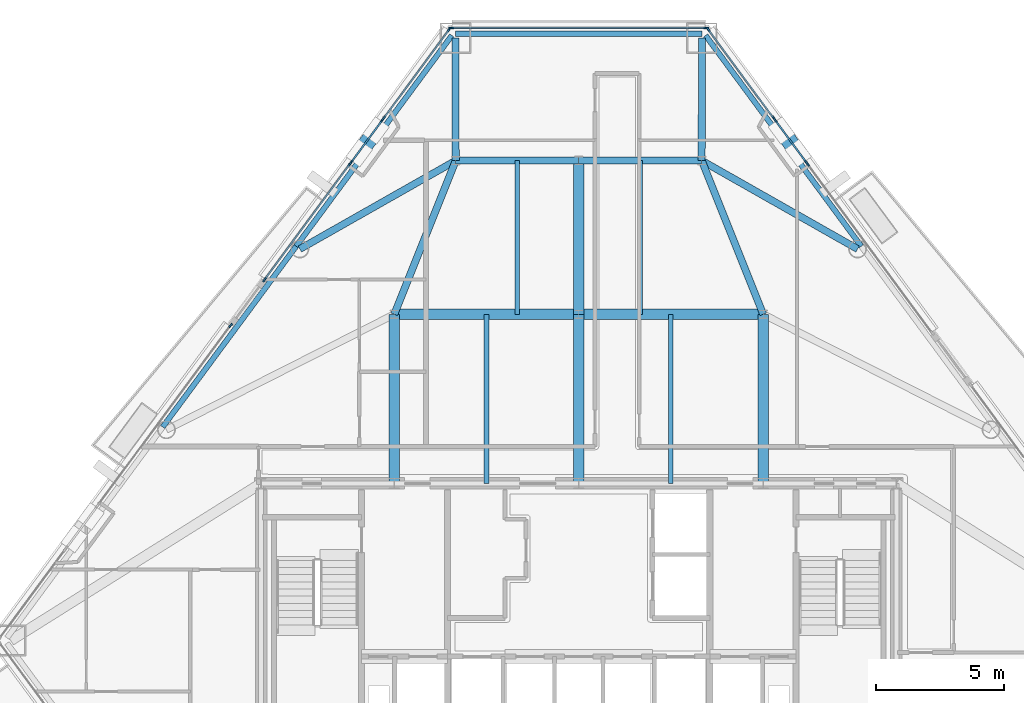
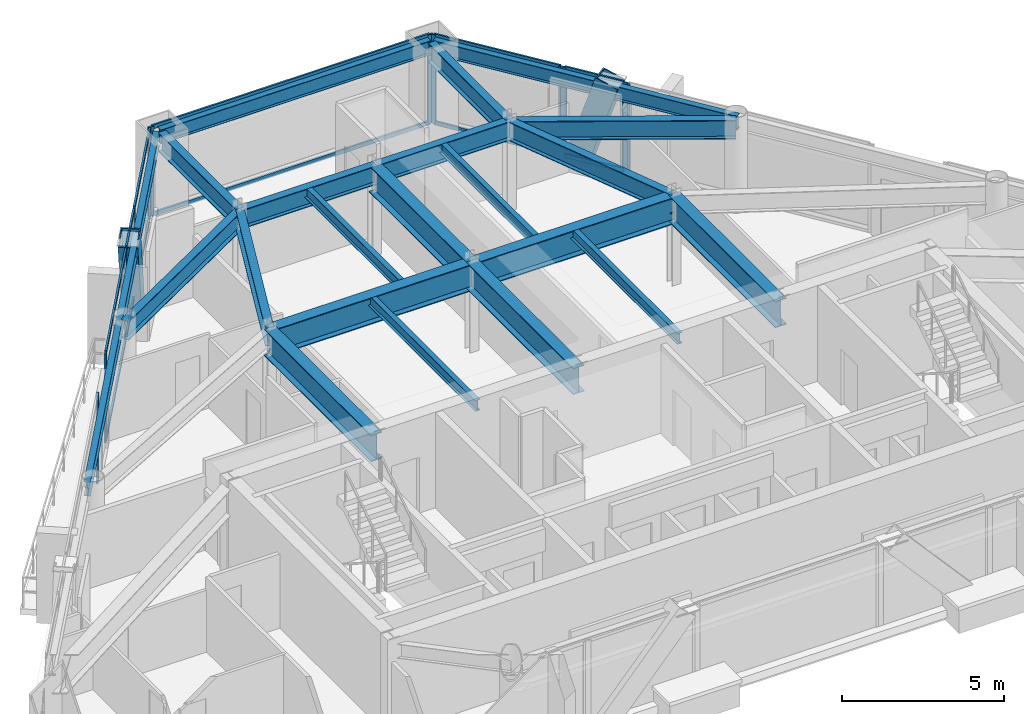
# One storey, part 4 of 11: 28 members, 22 beams, 8 elements without a shape of their own.
"""IFC4 building model written with IfcOpenShell, lengths in metres."""

from ifc_helpers import new_model, si_unit, direction, frame, origin, origin_2d, place, context, subcontext, project, spatial, rectangle, hollow_rectangle, i_section, extrude, material, layer, layer_set, material_profile, profile_set, type_object, element, aggregate, save


model = new_model("IFC4")

# Units and contexts
model_context = context("Model", 3, precision=1e-05, world=origin(), true_north=direction((0.0, 1.0)))
body_context = subcontext(model_context, "Body", "Model", "MODEL_VIEW")
ifc_project = project(units=[si_unit("LENGTHUNIT", "METRE"), si_unit("AREAUNIT", "SQUARE_METRE"), si_unit("VOLUMEUNIT", "CUBIC_METRE"), si_unit("PLANEANGLEUNIT", "RADIAN"), si_unit("MASSUNIT", "GRAM", prefix="KILO")], contexts=[model_context])

# Site, building, storey
site_placement = place(None, origin())
site = spatial("IfcSite", under=ifc_project, at=site_placement, CompositionType="ELEMENT")
building_placement = place(site_placement, origin())
building = spatial("IfcBuilding", under=site, at=building_placement, Name="Talgorran Terracotta Tower", CompositionType="ELEMENT")
storey_placement = place(building_placement, frame((0.0, 0.0, 143.699951171875)))
storey = spatial("IfcBuildingStorey", under=building, at=storey_placement, Name="L37", CompositionType="ELEMENT", Elevation=143.699951171875)

# Beams
ifc_material_1 = material(Name="Steel Grade 350 (350L0)", Category="steel")
ifc_material_profile_1 = material_profile(ifc_material_1, i_section(OverallWidth=0.39990234375, OverallDepth=1.0, WebThickness=0.01611328125, FlangeThickness=0.031005859375, at=origin_2d()), Name="1000WB296")
ifc_profile_set_1 = profile_set([ifc_material_profile_1], Name="Steel Grade 350 (350L0)")
beam_type_1 = type_object("IfcBeamType", Name="BM_1000WB296", PredefinedType="BEAM", material=ifc_profile_set_1)
for number, where, z_axis, x_axis, name in (
    (1, (-7.199951171875, -4.199951171875, 2.85009765625), (0.0, 1.0, 0.0), (-1.0, 0.0, 0.0), "L37 Floor Girder G01"),
    (2, (0.0, -4.199951171875, 2.85009765625), (0.0, 1.0, 0.0), (-1.0, 0.0, 0.0), "L37 Floor Girder G02"),
    (3, (7.199951171875, -4.199951171875, 2.85009765625), (0.0, 1.0, 0.0), (-1.0, 0.0, 0.0), "L37 Floor Girder G03"),
):
    element("IfcBeam", number, at=place(storey_placement, frame(where, z_axis=z_axis, x_axis=x_axis)), inside=storey, type_object=beam_type_1, Name=name, PredefinedType="BEAM", context=body_context, shape_type="SweptSolid", body=[
        extrude(i_section(OverallWidth=0.39990234375, OverallDepth=1.0, WebThickness=0.01611328125, FlangeThickness=0.031005859375, at=origin_2d()), origin(), (0.0, 0.0, 1.0), 6.599853515625),
    ])
for number, where, z_axis, x_axis, name in (
    (4, (-7.199951171875, 2.39990234375, 2.85009765625), (1.0, 0.0, 0.0), (0.0, 1.0, 0.0), "L37 Floor Girder G04"),
    (5, (0.0, 2.39990234375, 2.85009765625), (1.0, 0.0, 0.0), (0.0, 1.0, 0.0), "L37 Floor Girder G05"),
):
    element("IfcBeam", number, at=place(storey_placement, frame(where, z_axis=z_axis, x_axis=x_axis)), inside=storey, type_object=beam_type_1, Name=name, PredefinedType="BEAM", context=body_context, shape_type="SweptSolid", body=[
        extrude(i_section(OverallWidth=0.39990234375, OverallDepth=1.0, WebThickness=0.01611328125, FlangeThickness=0.031005859375, at=origin_2d()), origin(), (0.0, 0.0, 1.0), 7.199951171875),
    ])
beam_1_placement = place(storey_placement, frame((0.0, 2.39990234375, 2.85009765625), z_axis=(0.0, 1.0, 0.0), x_axis=(-1.0, 0.0, 0.0)))
element("IfcBeam", 6, at=beam_1_placement, inside=storey, type_object=beam_type_1, Name="L37 Floor Girder G09", PredefinedType="BEAM", context=body_context, shape_type="SweptSolid", body=[
    extrude(i_section(OverallWidth=0.39990234375, OverallDepth=1.0, WebThickness=0.01611328125, FlangeThickness=0.031005859375, at=origin_2d()), origin(), (0.0, 0.0, 1.0), 6.0),
])
ifc_material_2 = material(Name="Steel S355 (300PLUS)", Category="steel")
ifc_material_profile_2 = material_profile(ifc_material_2, i_section(OverallWidth=0.27490234375, OverallDepth=0.7080078125, WebThickness=0.011962890625, FlangeThickness=0.02490234375, at=origin_2d()), Name="700WB173")
ifc_profile_set_2 = profile_set([ifc_material_profile_2], Name="Steel S355 (300PLUS)")
beam_type_2 = type_object("IfcBeamType", Name="BM_700WB173", PredefinedType="BEAM", material=ifc_profile_set_2)
for number, where, z_axis, x_axis, name in (
    (7, (-7.199951171875, 2.39990234375, 2.99609375), (0.371377648723, 0.928481901832, 0.0), (-0.928481901832, 0.371377648723, 0.0), "L37 Floor Girder G08"),
    (8, (7.199951171875, 2.39990234375, 2.99609375), (-0.371377648723, 0.928481901832, 0.0), (-0.928481901832, -0.371377648723, 0.0), "L37 Floor Girder G10"),
):
    element("IfcBeam", number, at=place(storey_placement, frame(where, z_axis=z_axis, x_axis=x_axis)), inside=storey, type_object=beam_type_2, Name=name, PredefinedType="BEAM", context=body_context, shape_type="SweptSolid", body=[
        extrude(i_section(OverallWidth=0.27490234375, OverallDepth=0.7080078125, WebThickness=0.011962890625, FlangeThickness=0.02490234375, at=origin_2d()), origin(), (0.0, 0.0, 1.0), 6.462158203125),
    ])
for number, where, z_axis, x_axis, name in (
    (9, (-4.800048828125, 8.39990234375, 2.99609375), (1.0, 0.0, 0.0), (0.0, 1.0, 0.0), "L37 Floor Girder G11"),
    (10, (0.0, 8.39990234375, 2.99609375), (1.0, 0.0, 0.0), (0.0, 1.0, 0.0), "L37 Floor Girder G12"),
):
    element("IfcBeam", number, at=place(storey_placement, frame(where, z_axis=z_axis, x_axis=x_axis)), inside=storey, type_object=beam_type_2, Name=name, PredefinedType="BEAM", context=body_context, shape_type="SweptSolid", body=[
        extrude(i_section(OverallWidth=0.27490234375, OverallDepth=0.7080078125, WebThickness=0.011962890625, FlangeThickness=0.02490234375, at=origin_2d()), origin(), (0.0, 0.0, 1.0), 4.800048828125),
    ])
for number, where, z_axis, x_axis, name in (
    (11, (-4.800048828125, 8.39990234375, 2.99609375), (-0.869819954878, -0.493369279644, 0.0), (0.493369279644, -0.869819954878, 0.0), "L37 Floor Girder G13"),
    (12, (4.800048828125, 8.39990234375, 2.99609375), (0.869819954878, -0.493369279644, 0.0), (0.493369279644, 0.869819954878, 0.0), "L37 Floor Girder G14"),
):
    element("IfcBeam", number, at=place(storey_placement, frame(where, z_axis=z_axis, x_axis=x_axis)), inside=storey, type_object=beam_type_2, Name=name, PredefinedType="BEAM", context=body_context, shape_type="SweptSolid", body=[
        extrude(i_section(OverallWidth=0.27490234375, OverallDepth=0.7080078125, WebThickness=0.011962890625, FlangeThickness=0.02490234375, at=origin_2d()), origin(), (0.0, 0.0, 1.0), 6.9931640625),
    ])
for number, where, z_axis, x_axis, name in (
    (13, (-4.800048828125, 8.39990234375, 2.99609375), (-0.001277399193, 0.999999184125, 0.0), (-0.999999184125, -0.001277399193, 0.0), "L37 Floor Girder G15"),
    (14, (4.800048828125, 8.39990234375, 2.99609375), (0.001277399193, 0.999999184125, 0.0), (-0.999999184125, 0.001277399193, 0.0), "L37 Floor Girder G16"),
):
    element("IfcBeam", number, at=place(storey_placement, frame(where, z_axis=z_axis, x_axis=x_axis)), inside=storey, type_object=beam_type_2, Name=name, PredefinedType="BEAM", context=body_context, shape_type="SweptSolid", body=[
        extrude(i_section(OverallWidth=0.27490234375, OverallDepth=0.7080078125, WebThickness=0.011962890625, FlangeThickness=0.02490234375, at=origin_2d()), origin(), (0.0, 0.0, 1.0), 4.778076171875),
    ])
ifc_material_profile_3 = material_profile(ifc_material_2, i_section(OverallWidth=0.177734375, OverallDepth=0.406494140625, WebThickness=0.0078125, FlangeThickness=0.0126953125, at=origin_2d()), Name="410UB59.7")
ifc_profile_set_3 = profile_set([ifc_material_profile_3], Name="Steel S355 (300PLUS)")
beam_type_3 = type_object("IfcBeamType", Name="BM_JS_410UB60", PredefinedType="JOIST", material=ifc_profile_set_3)
for number, where, z_axis, x_axis, name in (
    (15, (-3.60009765625, -4.199951171875, 3.146728515625), (0.0, 1.0, 0.0), (-1.0, 0.0, 0.0), "L37 Secondary Joist J01"),
    (16, (3.60009765625, -4.199951171875, 3.146728515625), (0.0, 1.0, 0.0), (-1.0, 0.0, 0.0), "L37 Secondary Joist J02"),
):
    element("IfcBeam", number, at=place(storey_placement, frame(where, z_axis=z_axis, x_axis=x_axis)), inside=storey, type_object=beam_type_3, Name=name, PredefinedType="JOIST", context=body_context, shape_type="SweptSolid", body=[
        extrude(i_section(OverallWidth=0.177734375, OverallDepth=0.406494140625, WebThickness=0.0078125, FlangeThickness=0.0126953125, at=origin_2d()), origin(), (0.0, 0.0, 1.0), 6.599853515625),
    ])
for number, where, z_axis, x_axis, name in (
    (17, (-2.39990234375, 2.39990234375, 3.146728515625), (0.0, 1.0, 0.0), (-1.0, 0.0, 0.0), "L37 Secondary Joist J03"),
    (18, (2.39990234375, 2.39990234375, 3.146728515625), (0.0, 1.0, 0.0), (-1.0, 0.0, 0.0), "L37 Secondary Joist J04"),
):
    element("IfcBeam", number, at=place(storey_placement, frame(where, z_axis=z_axis, x_axis=x_axis)), inside=storey, type_object=beam_type_3, Name=name, PredefinedType="JOIST", context=body_context, shape_type="SweptSolid", body=[
        extrude(i_section(OverallWidth=0.177734375, OverallDepth=0.406494140625, WebThickness=0.0078125, FlangeThickness=0.0126953125, at=origin_2d()), origin(), (0.0, 0.0, 1.0), 6.0),
    ])
ifc_material_profile_4 = material_profile(ifc_material_2, i_section(OverallWidth=0.209228515625, OverallDepth=0.532958984375, WebThickness=0.01025390625, FlangeThickness=0.015625, at=origin_2d()), Name="530UB92.4")
ifc_profile_set_4 = profile_set([ifc_material_profile_4], Name="Steel S355 (300PLUS)")
beam_type_4 = type_object("IfcBeamType", Name="BM_SP_530UB92", PredefinedType="SPANDREL", material=ifc_profile_set_4)
beam_2_placement = place(storey_placement, frame((11.027587890625, 5.056640625, 3.08349609375), z_axis=(-0.594068215055, 0.804414666613, 0.0), x_axis=(-0.804414666613, -0.594068215055, 0.0)))
element("IfcBeam", 19, at=beam_2_placement, inside=storey, type_object=beam_type_4, Name="L37 Perimeter Spandrel Beam FC4-MC5", PredefinedType="SPANDREL", context=body_context, shape_type="SweptSolid", body=[
    extrude(i_section(OverallWidth=0.209228515625, OverallDepth=0.532958984375, WebThickness=0.01025390625, FlangeThickness=0.015625, at=origin_2d()), origin(), (0.0, 0.0, 1.0), 10.22900390625),
])
beam_3_placement = place(storey_placement, frame((4.80615234375, 13.35791015625, 3.08349609375), z_axis=(-1.0, 0.0, 0.0), x_axis=(0.0, -1.0, 0.0)))
element("IfcBeam", 20, at=beam_3_placement, inside=storey, type_object=beam_type_4, Name="L37 Perimeter Spandrel Beam MC5-MC6", PredefinedType="SPANDREL", context=body_context, shape_type="SweptSolid", body=[
    extrude(i_section(OverallWidth=0.209228515625, OverallDepth=0.532958984375, WebThickness=0.01025390625, FlangeThickness=0.015625, at=origin_2d()), origin(), (0.0, 0.0, 1.0), 9.6123046875),
])
beam_4_placement = place(storey_placement, frame((-4.950927734375, 13.284912109375, 3.08349609375), z_axis=(-0.594068215055, -0.804414666613, 0.0), x_axis=(0.804414666613, -0.594068215055, 0.0)))
element("IfcBeam", 21, at=beam_4_placement, inside=storey, type_object=beam_type_4, Name="L37 Perimeter Spandrel Beam MC6-FC5", PredefinedType="SPANDREL", context=body_context, shape_type="SweptSolid", body=[
    extrude(i_section(OverallWidth=0.209228515625, OverallDepth=0.532958984375, WebThickness=0.01025390625, FlangeThickness=0.015625, at=origin_2d()), origin(), (0.0, 0.0, 1.0), 10.22900390625),
])
beam_5_placement = place(storey_placement, frame((-11.027587890625, 5.056640625, 3.08349609375), z_axis=(-0.594084887131, -0.804402353852, 0.0), x_axis=(0.804402353852, -0.594084887131, 0.0)))
element("IfcBeam", 22, at=beam_5_placement, inside=storey, type_object=beam_type_4, Name="L37 Perimeter Spandrel Beam FC5-FC6", PredefinedType="SPANDREL", context=body_context, shape_type="SweptSolid", body=[
    extrude(i_section(OverallWidth=0.209228515625, OverallDepth=0.532958984375, WebThickness=0.01025390625, FlangeThickness=0.015625, at=origin_2d()), origin(), (0.0, 0.0, 1.0), 8.767578125),
])

# Members
ifc_material_profile_5 = material_profile(ifc_material_1, hollow_rectangle(XDim=0.6201171875, YDim=0.780029296875, WallThickness=0.0419921875, at=origin_2d()), Name="WBOX780X620X42")
ifc_profile_set_5 = profile_set([ifc_material_profile_5], Name="Steel Grade 350 (350L0)")
member_type_1 = type_object("IfcMemberType", Name="MB_MEGA_780", PredefinedType="BRACE", material=ifc_profile_set_5)
for number, where, z_axis, x_axis, name in (
    (23, (7.9140625, 9.57568359375, -0.02490234375), (0.182584644019, -0.247227261251, 0.951599458314), (0.804407113158, 0.594078442885, 0.0), "L37 Exterior Face Mega-Brace MB-2 (NEU)"),
    (24, (-7.9140625, 9.57568359375, -0.02490234375), (-0.182584644019, -0.247227261251, 0.951599458314), (0.804407113158, -0.594078442885, 0.0), "L37 Exterior Face Mega-Brace MB-2 (NWU)"),
):
    element("IfcMember", number, at=place(storey_placement, frame(where, z_axis=z_axis, x_axis=x_axis)), inside=storey, type_object=member_type_1, Name=name, PredefinedType="BRACE", context=body_context, shape_type="SweptSolid", body=[
        extrude(hollow_rectangle(XDim=0.6201171875, YDim=0.780029296875, WallThickness=0.0419921875, at=origin_2d()), origin(), (0.0, 0.0, 1.0), 3.57275390625),
    ])

# Curtain wall, member
ifc_material_3 = material(Name="Unitised Low-E Double Glazing", Category="glass")
ifc_layer = layer(ifc_material_3, 0.199951171875, Name="CW_SYS2_RES_LOW")
ifc_layer_set = layer_set([ifc_layer], Name="Unitised Low-E Double Glazing")
curtain_wall_type = type_object("IfcCurtainWallType", Name="CW_SYS2_RES_LOW", PredefinedType="NOTDEFINED", material=ifc_layer_set)
curtain_wall_1_placement = place(storey_placement, origin())
curtain_wall_1 = element("IfcCurtainWall", 25, at=curtain_wall_1_placement, inside=storey, type_object=curtain_wall_type, Name="CW-L37-F41", PredefinedType="NOTDEFINED")
ifc_material_4 = material(Name="Architectural Aluminium 6063-T6", Category="aluminium")
ifc_material_profile_6 = material_profile(ifc_material_4, rectangle(XDim=0.06494140625, YDim=0.18505859375, at=origin_2d()), Name="CWM65X185")
ifc_profile_set_6 = profile_set([ifc_material_profile_6], Name="Architectural Aluminium 6063-T6")
member_type_2 = type_object("IfcMemberType", Name="MUL_65X185", PredefinedType="MULLION", material=ifc_profile_set_6)
member_1_placement = place(storey_placement, frame((8.930419921875, 8.266845703125, 0.0), z_axis=(0.0, 0.0, 1.0), x_axis=(-0.804413779533, -0.594069416228, 0.0)))
member_1 = element("IfcMember", 26, at=member_1_placement, type_object=member_type_2, Name="CW-L37-41 mullion 2", PredefinedType="MULLION", context=body_context, shape_type="SweptSolid", body=[
    extrude(rectangle(XDim=0.06494140625, YDim=0.18505859375, at=origin_2d()), origin(), (0.0, 0.0, 1.0), 3.35009765625),
])
aggregate(curtain_wall_1, [member_1])

# Curtain wall, members
curtain_wall_2_placement = place(storey_placement, origin())
curtain_wall_2 = element("IfcCurtainWall", 27, at=curtain_wall_2_placement, inside=storey, type_object=curtain_wall_type, Name="CW-L37-F41B", PredefinedType="NOTDEFINED")
member_2_placement = place(storey_placement, frame((8.8857421875, 8.3271484375, 0.0), z_axis=(0.0, 0.0, 1.0), x_axis=(-0.804417046158, -0.594064992951, 0.0)))
member_2 = element("IfcMember", 28, at=member_2_placement, type_object=member_type_2, Name="CW-L37-41B mullion 1", PredefinedType="MULLION", context=body_context, shape_type="SweptSolid", body=[
    extrude(rectangle(XDim=0.06494140625, YDim=0.18505859375, at=origin_2d()), origin(), (0.0, 0.0, 1.0), 3.35009765625),
])
member_3_placement = place(storey_placement, frame((7.658935546875, 9.988525390625, 0.0), z_axis=(0.0, 0.0, 1.0), x_axis=(-0.804417046158, -0.594064992951, 0.0)))
member_3 = element("IfcMember", 29, at=member_3_placement, type_object=member_type_2, Name="CW-L37-41B mullion 2", PredefinedType="MULLION", context=body_context, shape_type="SweptSolid", body=[
    extrude(rectangle(XDim=0.06494140625, YDim=0.18505859375, at=origin_2d()), origin(), (0.0, 0.0, 1.0), 3.35009765625),
])

curtain_wall_3_placement = place(storey_placement, origin())
curtain_wall_3 = element("IfcCurtainWall", 30, at=curtain_wall_3_placement, inside=storey, type_object=curtain_wall_type, Name="CW-L37-F41C", PredefinedType="NOTDEFINED")
member_4_placement = place(storey_placement, frame((7.614501953125, 10.048828125, 0.0), z_axis=(0.0, 0.0, 1.0), x_axis=(-0.804408590904, -0.59407644195, 0.0)))
member_4 = element("IfcMember", 31, at=member_4_placement, type_object=member_type_2, Name="CW-L37-41C mullion 1", PredefinedType="MULLION", context=body_context, shape_type="SweptSolid", body=[
    extrude(rectangle(XDim=0.06494140625, YDim=0.18505859375, at=origin_2d()), origin(), (0.0, 0.0, 1.0), 3.35009765625),
])
member_5_placement = place(storey_placement, frame((5.051025390625, 13.51953125, 0.0), z_axis=(0.0, 0.0, 1.0), x_axis=(-0.804408590904, -0.59407644195, 0.0)))
member_5 = element("IfcMember", 32, at=member_5_placement, type_object=member_type_2, Name="CW-L37-41C mullion 2", PredefinedType="MULLION", context=body_context, shape_type="SweptSolid", body=[
    extrude(rectangle(XDim=0.06494140625, YDim=0.18505859375, at=origin_2d()), origin(), (0.0, 0.0, 1.0), 3.35009765625),
])

curtain_wall_4_placement = place(storey_placement, origin())
curtain_wall_4 = element("IfcCurtainWall", 33, at=curtain_wall_4_placement, inside=storey, type_object=curtain_wall_type, Name="CW-L37-F4", PredefinedType="NOTDEFINED")
member_6_placement = place(storey_placement, frame((4.9755859375, 13.577880859375, 0.0), z_axis=(0.0, 0.0, 1.0), x_axis=(0.0, -1.0, 0.0)))
member_6 = element("IfcMember", 34, at=member_6_placement, type_object=member_type_2, Name="CW-L37-4 mullion 1", PredefinedType="MULLION", context=body_context, shape_type="SweptSolid", body=[
    extrude(rectangle(XDim=0.06494140625, YDim=0.18505859375, at=origin_2d()), origin(), (0.0, 0.0, 1.0), 3.35009765625),
])
member_7_placement = place(storey_placement, frame((-4.9755859375, 13.577880859375, 0.0), z_axis=(0.0, 0.0, 1.0), x_axis=(0.0, -1.0, 0.0)))
member_7 = element("IfcMember", 35, at=member_7_placement, type_object=member_type_2, Name="CW-L37-4 mullion 2", PredefinedType="MULLION", context=body_context, shape_type="SweptSolid", body=[
    extrude(rectangle(XDim=0.06494140625, YDim=0.18505859375, at=origin_2d()), origin(), (0.0, 0.0, 1.0), 3.35009765625),
])

curtain_wall_5_placement = place(storey_placement, origin())
curtain_wall_5 = element("IfcCurtainWall", 36, at=curtain_wall_5_placement, inside=storey, type_object=curtain_wall_type, Name="CW-L37-F60", PredefinedType="NOTDEFINED")
member_8_placement = place(storey_placement, frame((-5.051025390625, 13.51953125, 0.0), z_axis=(0.0, 0.0, 1.0), x_axis=(0.804408590904, -0.59407644195, 0.0)))
member_8 = element("IfcMember", 37, at=member_8_placement, type_object=member_type_2, Name="CW-L37-60 mullion 1", PredefinedType="MULLION", context=body_context, shape_type="SweptSolid", body=[
    extrude(rectangle(XDim=0.06494140625, YDim=0.18505859375, at=origin_2d()), origin(), (0.0, 0.0, 1.0), 3.35009765625),
])
member_9_placement = place(storey_placement, frame((-7.614501953125, 10.048828125, 0.0), z_axis=(0.0, 0.0, 1.0), x_axis=(0.804408590904, -0.59407644195, 0.0)))
member_9 = element("IfcMember", 38, at=member_9_placement, type_object=member_type_2, Name="CW-L37-60 mullion 2", PredefinedType="MULLION", context=body_context, shape_type="SweptSolid", body=[
    extrude(rectangle(XDim=0.06494140625, YDim=0.18505859375, at=origin_2d()), origin(), (0.0, 0.0, 1.0), 3.35009765625),
])

curtain_wall_6_placement = place(storey_placement, origin())
curtain_wall_6 = element("IfcCurtainWall", 39, at=curtain_wall_6_placement, inside=storey, type_object=curtain_wall_type, Name="CW-L37-F60B", PredefinedType="NOTDEFINED")
member_10_placement = place(storey_placement, frame((-7.658935546875, 9.988525390625, 0.0), z_axis=(0.0, 0.0, 1.0), x_axis=(0.804417046158, -0.594064992951, 0.0)))
member_10 = element("IfcMember", 40, at=member_10_placement, type_object=member_type_2, Name="CW-L37-60B mullion 1", PredefinedType="MULLION", context=body_context, shape_type="SweptSolid", body=[
    extrude(rectangle(XDim=0.06494140625, YDim=0.18505859375, at=origin_2d()), origin(), (0.0, 0.0, 1.0), 3.35009765625),
])
member_11_placement = place(storey_placement, frame((-8.8857421875, 8.3271484375, 0.0), z_axis=(0.0, 0.0, 1.0), x_axis=(0.804417046158, -0.594064992951, 0.0)))
member_11 = element("IfcMember", 41, at=member_11_placement, type_object=member_type_2, Name="CW-L37-60B mullion 2", PredefinedType="MULLION", context=body_context, shape_type="SweptSolid", body=[
    extrude(rectangle(XDim=0.06494140625, YDim=0.18505859375, at=origin_2d()), origin(), (0.0, 0.0, 1.0), 3.35009765625),
])

curtain_wall_7_placement = place(storey_placement, origin())
curtain_wall_7 = element("IfcCurtainWall", 42, at=curtain_wall_7_placement, inside=storey, type_object=curtain_wall_type, Name="CW-L37-F60C", PredefinedType="NOTDEFINED")
member_12_placement = place(storey_placement, frame((-8.930419921875, 8.266845703125, 0.0), z_axis=(0.0, 0.0, 1.0), x_axis=(0.804413440785, -0.594069874918, 0.0)))
member_12 = element("IfcMember", 43, at=member_12_placement, type_object=member_type_2, Name="CW-L37-60C mullion 1", PredefinedType="MULLION", context=body_context, shape_type="SweptSolid", body=[
    extrude(rectangle(XDim=0.06494140625, YDim=0.18505859375, at=origin_2d()), origin(), (0.0, 0.0, 1.0), 3.35009765625),
])
member_13_placement = place(storey_placement, frame((-12.26220703125, 3.755126953125, 0.0), z_axis=(0.0, 0.0, 1.0), x_axis=(0.804413440785, -0.594069874918, 0.0)))
member_13 = element("IfcMember", 44, at=member_13_placement, type_object=member_type_2, Name="CW-L37-60C mullion 2", PredefinedType="MULLION", context=body_context, shape_type="SweptSolid", body=[
    extrude(rectangle(XDim=0.06494140625, YDim=0.18505859375, at=origin_2d()), origin(), (0.0, 0.0, 1.0), 3.35009765625),
])

# Curtain wall, member
curtain_wall_8_placement = place(storey_placement, origin())
curtain_wall_8 = element("IfcCurtainWall", 45, at=curtain_wall_8_placement, inside=storey, type_object=curtain_wall_type, Name="CW-L37-F61", PredefinedType="NOTDEFINED")
member_14_placement = place(storey_placement, frame((-13.584228515625, 1.965576171875, 0.0), z_axis=(0.0, 0.0, 1.0), x_axis=(0.804410301977, -0.594074125066, 0.0)))
member_14 = element("IfcMember", 46, at=member_14_placement, type_object=member_type_2, Name="CW-L37-61 mullion 1", PredefinedType="MULLION", context=body_context, shape_type="SweptSolid", body=[
    extrude(rectangle(XDim=0.06494140625, YDim=0.18505859375, at=origin_2d()), origin(), (0.0, 0.0, 1.0), 3.35009765625),
])
aggregate(curtain_wall_8, [member_14])

# Member
ifc_material_profile_7 = material_profile(ifc_material_4, rectangle(XDim=0.06494140625, YDim=0.14990234375, at=origin_2d()), Name="CWT65X150")
ifc_profile_set_7 = profile_set([ifc_material_profile_7], Name="Architectural Aluminium 6063-T6")
member_type_3 = type_object("IfcMemberType", Name="TRN_65X150", PredefinedType="USERDEFINED", material=ifc_profile_set_7)
member_15_placement = place(storey_placement, frame((8.866455078125, 8.353271484375, 0.032470703125), z_axis=(-0.594027231506, 0.804444931757, 0.0), x_axis=(-0.804444931757, -0.594027231506, 0.0)))
member_15 = element("IfcMember", 47, at=member_15_placement, type_object=member_type_3, Name="CW-L37-41B transom 1.1", ObjectType="TRANSOM", PredefinedType="USERDEFINED", context=body_context, shape_type="SweptSolid", body=[
    extrude(rectangle(XDim=0.06494140625, YDim=0.14990234375, at=origin_2d()), origin(), (0.0, 0.0, 1.0), 2.000244140625),
])

member_16_placement = place(storey_placement, frame((8.866455078125, 8.353271484375, 3.317626953125), z_axis=(-0.594027231506, 0.804444931757, 0.0), x_axis=(-0.804444931757, -0.594027231506, 0.0)))
member_16 = element("IfcMember", 48, at=member_16_placement, type_object=member_type_3, Name="CW-L37-41B transom 1.2", ObjectType="TRANSOM", PredefinedType="USERDEFINED", context=body_context, shape_type="SweptSolid", body=[
    extrude(rectangle(XDim=0.06494140625, YDim=0.14990234375, at=origin_2d()), origin(), (0.0, 0.0, 1.0), 2.000244140625),
])

aggregate(curtain_wall_2, [member_2, member_3, member_15, member_16])

member_17_placement = place(storey_placement, frame((7.594970703125, 10.074951171875, 0.032470703125), z_axis=(-0.594082491094, 0.804404123421, 0.0), x_axis=(-0.804404123421, -0.594082491094, 0.0)))
member_17 = element("IfcMember", 49, at=member_17_placement, type_object=member_type_3, Name="CW-L37-41C transom 1.1", ObjectType="TRANSOM", PredefinedType="USERDEFINED", context=body_context, shape_type="SweptSolid", body=[
    extrude(rectangle(XDim=0.06494140625, YDim=0.14990234375, at=origin_2d()), origin(), (0.0, 0.0, 1.0), 4.249755859375),
])

member_18_placement = place(storey_placement, frame((7.594970703125, 10.074951171875, 3.317626953125), z_axis=(-0.594082491094, 0.804404123421, 0.0), x_axis=(-0.804404123421, -0.594082491094, 0.0)))
member_18 = element("IfcMember", 50, at=member_18_placement, type_object=member_type_3, Name="CW-L37-41C transom 1.2", ObjectType="TRANSOM", PredefinedType="USERDEFINED", context=body_context, shape_type="SweptSolid", body=[
    extrude(rectangle(XDim=0.06494140625, YDim=0.14990234375, at=origin_2d()), origin(), (0.0, 0.0, 1.0), 4.249755859375),
])

aggregate(curtain_wall_3, [member_4, member_5, member_17, member_18])

member_19_placement = place(storey_placement, frame((4.943115234375, 13.577880859375, 0.032470703125), z_axis=(-1.0, 0.0, 0.0), x_axis=(0.0, -1.0, 0.0)))
member_19 = element("IfcMember", 51, at=member_19_placement, type_object=member_type_3, Name="CW-L37-4 transom 1.1", ObjectType="TRANSOM", PredefinedType="USERDEFINED", context=body_context, shape_type="SweptSolid", body=[
    extrude(rectangle(XDim=0.06494140625, YDim=0.14990234375, at=origin_2d()), origin(), (0.0, 0.0, 1.0), 9.88623046875),
])

member_20_placement = place(storey_placement, frame((4.943115234375, 13.577880859375, 3.317626953125), z_axis=(-1.0, 0.0, 0.0), x_axis=(0.0, -1.0, 0.0)))
member_20 = element("IfcMember", 52, at=member_20_placement, type_object=member_type_3, Name="CW-L37-4 transom 1.2", ObjectType="TRANSOM", PredefinedType="USERDEFINED", context=body_context, shape_type="SweptSolid", body=[
    extrude(rectangle(XDim=0.06494140625, YDim=0.14990234375, at=origin_2d()), origin(), (0.0, 0.0, 1.0), 9.88623046875),
])

aggregate(curtain_wall_4, [member_6, member_7, member_19, member_20])

member_21_placement = place(storey_placement, frame((-5.0703125, 13.493408203125, 0.032470703125), z_axis=(-0.594082491094, -0.804404123421, 0.0), x_axis=(0.804404123421, -0.594082491094, 0.0)))
member_21 = element("IfcMember", 53, at=member_21_placement, type_object=member_type_3, Name="CW-L37-60 transom 1.1", ObjectType="TRANSOM", PredefinedType="USERDEFINED", context=body_context, shape_type="SweptSolid", body=[
    extrude(rectangle(XDim=0.06494140625, YDim=0.14990234375, at=origin_2d()), origin(), (0.0, 0.0, 1.0), 4.249755859375),
])

member_22_placement = place(storey_placement, frame((-5.0703125, 13.493408203125, 3.317626953125), z_axis=(-0.594082491094, -0.804404123421, 0.0), x_axis=(0.804404123421, -0.594082491094, 0.0)))
member_22 = element("IfcMember", 54, at=member_22_placement, type_object=member_type_3, Name="CW-L37-60 transom 1.2", ObjectType="TRANSOM", PredefinedType="USERDEFINED", context=body_context, shape_type="SweptSolid", body=[
    extrude(rectangle(XDim=0.06494140625, YDim=0.14990234375, at=origin_2d()), origin(), (0.0, 0.0, 1.0), 4.249755859375),
])

aggregate(curtain_wall_5, [member_8, member_9, member_21, member_22])

member_23_placement = place(storey_placement, frame((-7.67822265625, 9.96240234375, 0.032470703125), z_axis=(-0.594027231506, -0.804444931757, 0.0), x_axis=(0.804444931757, -0.594027231506, 0.0)))
member_23 = element("IfcMember", 55, at=member_23_placement, type_object=member_type_3, Name="CW-L37-60B transom 1.1", ObjectType="TRANSOM", PredefinedType="USERDEFINED", context=body_context, shape_type="SweptSolid", body=[
    extrude(rectangle(XDim=0.06494140625, YDim=0.14990234375, at=origin_2d()), origin(), (0.0, 0.0, 1.0), 2.000244140625),
])

member_24_placement = place(storey_placement, frame((-7.67822265625, 9.96240234375, 3.317626953125), z_axis=(-0.594027231506, -0.804444931757, 0.0), x_axis=(0.804444931757, -0.594027231506, 0.0)))
member_24 = element("IfcMember", 56, at=member_24_placement, type_object=member_type_3, Name="CW-L37-60B transom 1.2", ObjectType="TRANSOM", PredefinedType="USERDEFINED", context=body_context, shape_type="SweptSolid", body=[
    extrude(rectangle(XDim=0.06494140625, YDim=0.14990234375, at=origin_2d()), origin(), (0.0, 0.0, 1.0), 2.000244140625),
])

aggregate(curtain_wall_6, [member_10, member_11, member_23, member_24])

member_25_placement = place(storey_placement, frame((-8.94970703125, 8.24072265625, 0.032470703125), z_axis=(-0.594071527154, -0.804412220584, 0.0), x_axis=(0.804412220584, -0.594071527154, 0.0)))
member_25 = element("IfcMember", 57, at=member_25_placement, type_object=member_type_3, Name="CW-L37-60C transom 1.1", ObjectType="TRANSOM", PredefinedType="USERDEFINED", context=body_context, shape_type="SweptSolid", body=[
    extrude(rectangle(XDim=0.06494140625, YDim=0.14990234375, at=origin_2d()), origin(), (0.0, 0.0, 1.0), 5.54345703125),
])

member_26_placement = place(storey_placement, frame((-8.94970703125, 8.24072265625, 3.317626953125), z_axis=(-0.594071527154, -0.804412220584, 0.0), x_axis=(0.804412220584, -0.594071527154, 0.0)))
member_26 = element("IfcMember", 58, at=member_26_placement, type_object=member_type_3, Name="CW-L37-60C transom 1.2", ObjectType="TRANSOM", PredefinedType="USERDEFINED", context=body_context, shape_type="SweptSolid", body=[
    extrude(rectangle(XDim=0.06494140625, YDim=0.14990234375, at=origin_2d()), origin(), (0.0, 0.0, 1.0), 5.54345703125),
])

aggregate(curtain_wall_7, [member_12, member_13, member_25, member_26])

save(model, "model.ifc")
